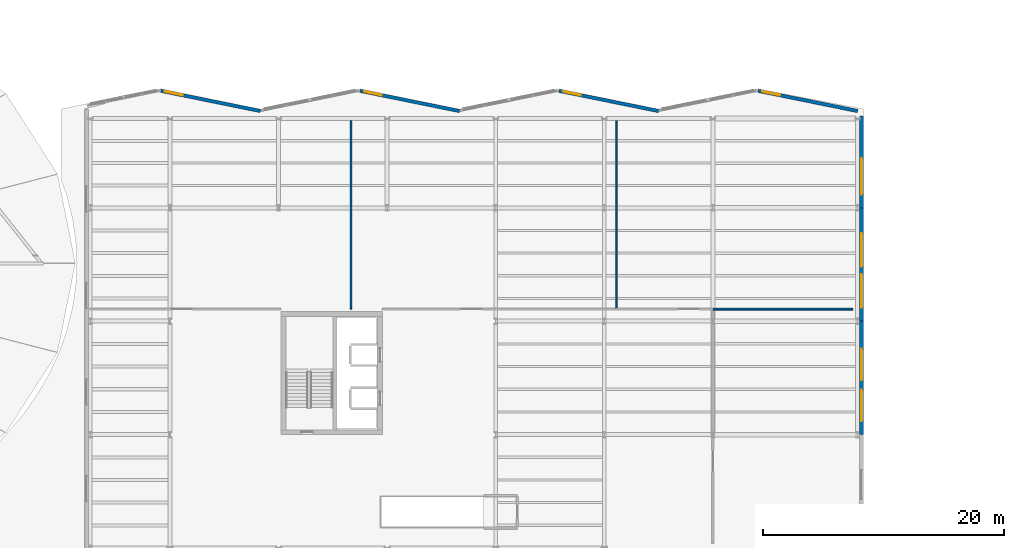
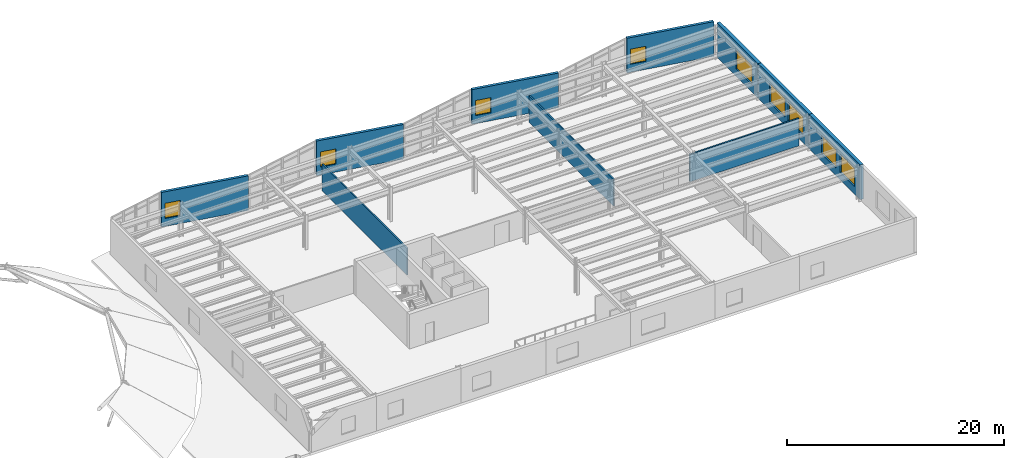
# One storey, part 46 of 59: 10 walls, 9 windows, 9 openings.
"""IFC4 building model written with IfcOpenShell, lengths in metres."""

from ifc_helpers import new_model, si_unit, direction, frame, frame_2d, origin, place, context, subcontext, project, spatial, rectangle, extrude, material, layer, layer_set, type_object, element, fill, save


model = new_model("IFC4")

# Units and contexts
model_context = context("Model", 3, precision=1e-05, world=origin(), true_north=direction((0.0, 1.0)))
body_context = subcontext(model_context, "Body", "Model", "MODEL_VIEW")
ifc_project = project(units=[si_unit("LENGTHUNIT", "METRE"), si_unit("AREAUNIT", "SQUARE_METRE"), si_unit("VOLUMEUNIT", "CUBIC_METRE"), si_unit("PLANEANGLEUNIT", "RADIAN"), si_unit("MASSUNIT", "GRAM", prefix="KILO")], contexts=[model_context])

# Site, building, storey
site_placement = place(None, origin())
site = spatial("IfcSite", under=ifc_project, at=site_placement, CompositionType="ELEMENT")
building_placement = place(site_placement, origin())
building = spatial("IfcBuilding", under=site, at=building_placement, Name="Sollismere Congress Hotel", CompositionType="ELEMENT")
storey_placement = place(building_placement, frame((0.0, 0.0, 15.60009765625)))
storey = spatial("IfcBuildingStorey", under=building, at=storey_placement, Name="L03", CompositionType="ELEMENT", Elevation=15.60009765625)

# Wall, opening, window
ifc_material_1 = material(Name="Colorado Buff Sandstone Rainscreen on Insulated Backup", Category="masonry")
ifc_layer_1 = layer(ifc_material_1, 0.284912109375, Name="Colorado Buff Sandstone Rainscreen on Insulated Backup")
ifc_layer_set_1 = layer_set([ifc_layer_1], Name="Colorado Buff Sandstone Rainscreen on Insulated Backup")
wall_type_1 = type_object("IfcWallType", Name="WL-EXT285", PredefinedType="STANDARD", material=ifc_layer_set_1)
wall_1_placement = place(storey_placement, frame((66.25, 104.698486328125, 0.0), z_axis=(0.0, 0.0, 1.0), x_axis=(0.979925045119, -0.199366260807, 0.0)))
wall_1 = element("IfcWall", 1, at=wall_1_placement, inside=storey, type_object=wall_type_1, Name="Exterior wall EW-L03-056", PredefinedType="STANDARD", context=body_context, shape_type="SweptSolid", body=[
    extrude(rectangle(XDim=8.4189453125, YDim=0.284912109375, at=frame_2d((4.20947265625, 0.0))), origin(), (0.0, 0.0, 1.0), 3.89990234375),
])
opening_1_placement = place(wall_1_placement, frame((0.35009765625, 0.0, 0.89990234375)))
opening_1 = element("IfcOpeningElement", 2, at=opening_1_placement, cuts=wall_1, Name="Opening W-L03-050", PredefinedType="OPENING", context=body_context, shape_type="SweptSolid", body=[
    extrude(rectangle(XDim=1.5, YDim=1.699951171875, at=frame_2d((0.75, 0.85009765625))), frame((0.0, 0.15234375, 0.0), z_axis=(0.0, -1.0, 0.0), x_axis=(1.0, 0.0, 0.0)), (0.0, 0.0, 1.0), 0.304931640625),
])
ifc_material_2 = material(Name="Thermally Broken Bronze Aluminum & Low-E Glass", Category="aluminium")
window_type_1 = type_object("IfcWindowType", Name="WN-P150x170", PartitioningType="SINGLE_PANEL", PredefinedType="WINDOW", material=ifc_material_2)
window_1_placement = place(opening_1_placement, origin())
window_1 = element("IfcWindow", 3, at=window_1_placement, inside=storey, type_object=window_type_1, Name="WIN-W-L03-050", OverallHeight=1.699951171875, OverallWidth=1.5, PartitioningType="SINGLE_PANEL", PredefinedType="WINDOW", context=body_context, shape_type="SweptSolid", body=[
    extrude(rectangle(XDim=1.5, YDim=1.699951171875, at=frame_2d((0.75, 0.85009765625))), frame((0.0, 0.030029296875, 0.0), z_axis=(0.0, -1.0, 0.0), x_axis=(1.0, 0.0, 0.0)), (0.0, 0.0, 1.0), 0.06005859375),
])
fill(opening_1, window_1)

wall_2_placement = place(storey_placement, frame((82.75, 104.698486328125, 0.0), z_axis=(0.0, 0.0, 1.0), x_axis=(0.979925045119, -0.199366260807, 0.0)))
wall_2 = element("IfcWall", 4, at=wall_2_placement, inside=storey, type_object=wall_type_1, Name="Exterior wall EW-L03-057", PredefinedType="STANDARD", context=body_context, shape_type="SweptSolid", body=[
    extrude(rectangle(XDim=8.4189453125, YDim=0.284912109375, at=frame_2d((4.20947265625, 0.0))), origin(), (0.0, 0.0, 1.0), 3.89990234375),
])
opening_2_placement = place(wall_2_placement, frame((0.35009765625, 0.0, 0.89990234375)))
opening_2 = element("IfcOpeningElement", 5, at=opening_2_placement, cuts=wall_2, Name="Opening W-L03-051", PredefinedType="OPENING", context=body_context, shape_type="SweptSolid", body=[
    extrude(rectangle(XDim=1.5, YDim=1.699951171875, at=frame_2d((0.75, 0.85009765625))), frame((0.0, 0.15234375, 0.0), z_axis=(0.0, -1.0, 0.0), x_axis=(1.0, 0.0, 0.0)), (0.0, 0.0, 1.0), 0.304931640625),
])
window_2_placement = place(opening_2_placement, origin())
window_2 = element("IfcWindow", 6, at=window_2_placement, inside=storey, type_object=window_type_1, Name="WIN-W-L03-051", OverallHeight=1.699951171875, OverallWidth=1.5, PartitioningType="SINGLE_PANEL", PredefinedType="WINDOW", context=body_context, shape_type="SweptSolid", body=[
    extrude(rectangle(XDim=1.5, YDim=1.699951171875, at=frame_2d((0.75, 0.85009765625))), frame((0.0, 0.030029296875, 0.0), z_axis=(0.0, -1.0, 0.0), x_axis=(1.0, 0.0, 0.0)), (0.0, 0.0, 1.0), 0.06005859375),
])
fill(opening_2, window_2)

wall_3_placement = place(storey_placement, frame((99.25, 104.698486328125, 0.0), z_axis=(0.0, 0.0, 1.0), x_axis=(0.979925045119, -0.199366260807, 0.0)))
wall_3 = element("IfcWall", 7, at=wall_3_placement, inside=storey, type_object=wall_type_1, Name="Exterior wall EW-L03-058", PredefinedType="STANDARD", context=body_context, shape_type="SweptSolid", body=[
    extrude(rectangle(XDim=8.4189453125, YDim=0.284912109375, at=frame_2d((4.20947265625, 0.0))), origin(), (0.0, 0.0, 1.0), 3.89990234375),
])
opening_3_placement = place(wall_3_placement, frame((0.35009765625, 0.0, 0.89990234375)))
opening_3 = element("IfcOpeningElement", 8, at=opening_3_placement, cuts=wall_3, Name="Opening W-L03-052", PredefinedType="OPENING", context=body_context, shape_type="SweptSolid", body=[
    extrude(rectangle(XDim=1.5, YDim=1.699951171875, at=frame_2d((0.75, 0.85009765625))), frame((0.0, 0.15234375, 0.0), z_axis=(0.0, -1.0, 0.0), x_axis=(1.0, 0.0, 0.0)), (0.0, 0.0, 1.0), 0.304931640625),
])
window_3_placement = place(opening_3_placement, origin())
window_3 = element("IfcWindow", 9, at=window_3_placement, inside=storey, type_object=window_type_1, Name="WIN-W-L03-052", OverallHeight=1.699951171875, OverallWidth=1.5, PartitioningType="SINGLE_PANEL", PredefinedType="WINDOW", context=body_context, shape_type="SweptSolid", body=[
    extrude(rectangle(XDim=1.5, YDim=1.699951171875, at=frame_2d((0.75, 0.85009765625))), frame((0.0, 0.030029296875, 0.0), z_axis=(0.0, -1.0, 0.0), x_axis=(1.0, 0.0, 0.0)), (0.0, 0.0, 1.0), 0.06005859375),
])
fill(opening_3, window_3)

wall_4_placement = place(storey_placement, frame((115.75, 104.698486328125, 0.0), z_axis=(0.0, 0.0, 1.0), x_axis=(0.979925045119, -0.199366260807, 0.0)))
wall_4 = element("IfcWall", 10, at=wall_4_placement, inside=storey, type_object=wall_type_1, Name="Exterior wall EW-L03-059", PredefinedType="STANDARD", context=body_context, shape_type="SweptSolid", body=[
    extrude(rectangle(XDim=8.4189453125, YDim=0.284912109375, at=frame_2d((4.20947265625, 0.0))), origin(), (0.0, 0.0, 1.0), 3.89990234375),
])
opening_4_placement = place(wall_4_placement, frame((0.35009765625, 0.0, 0.89990234375)))
opening_4 = element("IfcOpeningElement", 11, at=opening_4_placement, cuts=wall_4, Name="Opening W-L03-053", PredefinedType="OPENING", context=body_context, shape_type="SweptSolid", body=[
    extrude(rectangle(XDim=1.5, YDim=1.699951171875, at=frame_2d((0.75, 0.85009765625))), frame((0.0, 0.15234375, 0.0), z_axis=(0.0, -1.0, 0.0), x_axis=(1.0, 0.0, 0.0)), (0.0, 0.0, 1.0), 0.304931640625),
])
window_4_placement = place(opening_4_placement, origin())
window_4 = element("IfcWindow", 12, at=window_4_placement, inside=storey, type_object=window_type_1, Name="WIN-W-L03-053", OverallHeight=1.699951171875, OverallWidth=1.5, PartitioningType="SINGLE_PANEL", PredefinedType="WINDOW", context=body_context, shape_type="SweptSolid", body=[
    extrude(rectangle(XDim=1.5, YDim=1.699951171875, at=frame_2d((0.75, 0.85009765625))), frame((0.0, 0.030029296875, 0.0), z_axis=(0.0, -1.0, 0.0), x_axis=(1.0, 0.0, 0.0)), (0.0, 0.0, 1.0), 0.06005859375),
])
fill(opening_4, window_4)

# Wall, openings, windows
ifc_material_3 = material(Name="Colorado Buff Sandstone and Limestone Backup C40/50", Category="masonry")
ifc_layer_2 = layer(ifc_material_3, 0.340087890625, Name="Colorado Buff Sandstone and Limestone Backup C40/50")
ifc_layer_set_2 = layer_set([ifc_layer_2], Name="Colorado Buff Sandstone and Limestone Backup C40/50")
wall_type_2 = type_object("IfcWallType", Name="WL-EXT340", PredefinedType="STANDARD", material=ifc_layer_set_2)
wall_5_placement = place(storey_placement, frame((124.31005859375, 76.199951171875, 0.0), z_axis=(0.0, 0.0, 1.0), x_axis=(0.0, 1.0, 0.0)))
wall_5 = element("IfcWall", 13, at=wall_5_placement, inside=storey, type_object=wall_type_2, Name="Exterior wall EW-L03-061", PredefinedType="STANDARD", context=body_context, shape_type="SweptSolid", body=[
    extrude(rectangle(XDim=9.400146484375, YDim=0.340087890625, at=frame_2d((4.7001953125, 0.0))), origin(), (0.0, 0.0, 1.0), 3.89990234375),
])
opening_5_placement = place(wall_5_placement, frame((1.10009765625, 0.0, 0.85009765625)))
opening_5 = element("IfcOpeningElement", 14, at=opening_5_placement, cuts=wall_5, Name="Opening W-L03-056", PredefinedType="OPENING", context=body_context, shape_type="SweptSolid", body=[
    extrude(rectangle(XDim=2.60009765625, YDim=2.050048828125, at=frame_2d((1.300048828125, 1.02490234375))), frame((0.0, 0.179931640625, 0.0), z_axis=(0.0, -1.0, 0.0), x_axis=(1.0, 0.0, 0.0)), (0.0, 0.0, 1.0), 0.360107421875),
])
opening_6_placement = place(wall_5_placement, frame((4.5, 0.0, 0.85009765625)))
opening_6 = element("IfcOpeningElement", 15, at=opening_6_placement, cuts=wall_5, Name="Opening W-L03-057", PredefinedType="OPENING", context=body_context, shape_type="SweptSolid", body=[
    extrude(rectangle(XDim=2.60009765625, YDim=2.050048828125, at=frame_2d((1.300048828125, 1.02490234375))), frame((0.0, 0.179931640625, 0.0), z_axis=(0.0, -1.0, 0.0), x_axis=(1.0, 0.0, 0.0)), (0.0, 0.0, 1.0), 0.360107421875),
])
window_type_2 = type_object("IfcWindowType", Name="WN-P260x205", PartitioningType="SINGLE_PANEL", PredefinedType="WINDOW", material=ifc_material_2)
window_5_placement = place(opening_5_placement, origin())
window_5 = element("IfcWindow", 16, at=window_5_placement, inside=storey, type_object=window_type_2, Name="WIN-W-L03-056", OverallHeight=2.050048828125, OverallWidth=2.60009765625, PartitioningType="SINGLE_PANEL", PredefinedType="WINDOW", context=body_context, shape_type="SweptSolid", body=[
    extrude(rectangle(XDim=2.60009765625, YDim=2.050048828125, at=frame_2d((1.300048828125, 1.02490234375))), frame((0.0, 0.030029296875, 0.0), z_axis=(0.0, -1.0, 0.0), x_axis=(1.0, 0.0, 0.0)), (0.0, 0.0, 1.0), 0.06005859375),
])
fill(opening_5, window_5)
window_6_placement = place(opening_6_placement, origin())
window_6 = element("IfcWindow", 17, at=window_6_placement, inside=storey, type_object=window_type_2, Name="WIN-W-L03-057", OverallHeight=2.050048828125, OverallWidth=2.60009765625, PartitioningType="SINGLE_PANEL", PredefinedType="WINDOW", context=body_context, shape_type="SweptSolid", body=[
    extrude(rectangle(XDim=2.60009765625, YDim=2.050048828125, at=frame_2d((1.300048828125, 1.02490234375))), frame((0.0, 0.030029296875, 0.0), z_axis=(0.0, -1.0, 0.0), x_axis=(1.0, 0.0, 0.0)), (0.0, 0.0, 1.0), 0.06005859375),
])
fill(opening_6, window_6)

wall_6_placement = place(storey_placement, frame((124.31005859375, 85.60009765625, 0.0), z_axis=(0.0, 0.0, 1.0), x_axis=(0.0, 1.0, 0.0)))
wall_6 = element("IfcWall", 18, at=wall_6_placement, inside=storey, type_object=wall_type_2, Name="Exterior wall EW-L03-062", PredefinedType="STANDARD", context=body_context, shape_type="SweptSolid", body=[
    extrude(rectangle(XDim=9.39990234375, YDim=0.340087890625, at=frame_2d((4.699951171875, 0.0))), origin(), (0.0, 0.0, 1.0), 3.89990234375),
])
opening_7_placement = place(wall_6_placement, frame((1.10009765625, 0.0, 0.85009765625)))
opening_7 = element("IfcOpeningElement", 19, at=opening_7_placement, cuts=wall_6, Name="Opening W-L03-058", PredefinedType="OPENING", context=body_context, shape_type="SweptSolid", body=[
    extrude(rectangle(XDim=2.800048828125, YDim=2.10009765625, at=frame_2d((1.39990234375, 1.050048828125))), frame((0.0, 0.179931640625, 0.0), z_axis=(0.0, -1.0, 0.0), x_axis=(1.0, 0.0, 0.0)), (0.0, 0.0, 1.0), 0.360107421875),
])
opening_8_placement = place(wall_6_placement, frame((4.5, 0.0, 0.85009765625)))
opening_8 = element("IfcOpeningElement", 20, at=opening_8_placement, cuts=wall_6, Name="Opening W-L03-059", PredefinedType="OPENING", context=body_context, shape_type="SweptSolid", body=[
    extrude(rectangle(XDim=2.800048828125, YDim=2.10009765625, at=frame_2d((1.39990234375, 1.050048828125))), frame((0.0, 0.179931640625, 0.0), z_axis=(0.0, -1.0, 0.0), x_axis=(1.0, 0.0, 0.0)), (0.0, 0.0, 1.0), 0.360107421875),
])
window_type_3 = type_object("IfcWindowType", Name="WN-P280x210", PartitioningType="SINGLE_PANEL", PredefinedType="WINDOW", material=ifc_material_2)
window_7_placement = place(opening_7_placement, origin())
window_7 = element("IfcWindow", 21, at=window_7_placement, inside=storey, type_object=window_type_3, Name="WIN-W-L03-058", OverallHeight=2.10009765625, OverallWidth=2.800048828125, PartitioningType="SINGLE_PANEL", PredefinedType="WINDOW", context=body_context, shape_type="SweptSolid", body=[
    extrude(rectangle(XDim=2.800048828125, YDim=2.10009765625, at=frame_2d((1.39990234375, 1.050048828125))), frame((0.0, 0.030029296875, 0.0), z_axis=(0.0, -1.0, 0.0), x_axis=(1.0, 0.0, 0.0)), (0.0, 0.0, 1.0), 0.06005859375),
])
fill(opening_7, window_7)
window_8_placement = place(opening_8_placement, origin())
window_8 = element("IfcWindow", 22, at=window_8_placement, inside=storey, type_object=window_type_3, Name="WIN-W-L03-059", OverallHeight=2.10009765625, OverallWidth=2.800048828125, PartitioningType="SINGLE_PANEL", PredefinedType="WINDOW", context=body_context, shape_type="SweptSolid", body=[
    extrude(rectangle(XDim=2.800048828125, YDim=2.10009765625, at=frame_2d((1.39990234375, 1.050048828125))), frame((0.0, 0.030029296875, 0.0), z_axis=(0.0, -1.0, 0.0), x_axis=(1.0, 0.0, 0.0)), (0.0, 0.0, 1.0), 0.06005859375),
])
fill(opening_8, window_8)

# Wall, opening, window
wall_7_placement = place(storey_placement, frame((124.31005859375, 95.0, 0.0), z_axis=(0.0, 0.0, 1.0), x_axis=(0.0, 1.0, 0.0)))
wall_7 = element("IfcWall", 23, at=wall_7_placement, inside=storey, type_object=wall_type_2, Name="Exterior wall EW-L03-063", PredefinedType="STANDARD", context=body_context, shape_type="SweptSolid", body=[
    extrude(rectangle(XDim=7.60009765625, YDim=0.340087890625, at=frame_2d((3.800048828125, 0.0))), origin(), (0.0, 0.0, 1.0), 3.89990234375),
])
opening_9_placement = place(wall_7_placement, frame((1.10009765625, 0.0, 0.85009765625)))
opening_9 = element("IfcOpeningElement", 24, at=opening_9_placement, cuts=wall_7, Name="Opening W-L03-060", PredefinedType="OPENING", context=body_context, shape_type="SweptSolid", body=[
    extrude(rectangle(XDim=3.0, YDim=2.14990234375, at=frame_2d((1.5, 1.074951171875))), frame((0.0, 0.179931640625, 0.0), z_axis=(0.0, -1.0, 0.0), x_axis=(1.0, 0.0, 0.0)), (0.0, 0.0, 1.0), 0.360107421875),
])
window_type_4 = type_object("IfcWindowType", Name="WN-P300x215", PartitioningType="SINGLE_PANEL", PredefinedType="WINDOW", material=ifc_material_2)
window_9_placement = place(opening_9_placement, origin())
window_9 = element("IfcWindow", 25, at=window_9_placement, inside=storey, type_object=window_type_4, Name="WIN-W-L03-060", OverallHeight=2.14990234375, OverallWidth=3.0, PartitioningType="SINGLE_PANEL", PredefinedType="WINDOW", context=body_context, shape_type="SweptSolid", body=[
    extrude(rectangle(XDim=3.0, YDim=2.14990234375, at=frame_2d((1.5, 1.074951171875))), frame((0.0, 0.030029296875, 0.0), z_axis=(0.0, -1.0, 0.0), x_axis=(1.0, 0.0, 0.0)), (0.0, 0.0, 1.0), 0.06005859375),
])
fill(opening_9, window_9)

# Walls
ifc_material_4 = material(Name="Fire-Rated Gypsum Partition")
ifc_layer_3 = layer(ifc_material_4, 0.139892578125, Name="Fire-Rated Gypsum Partition")
ifc_layer_set_3 = layer_set([ifc_layer_3], Name="Fire-Rated Gypsum Partition")
wall_type_3 = type_object("IfcWallType", Name="WL-PRT140R", PredefinedType="PARTITIONING", material=ifc_layer_set_3)
wall_8_placement = place(storey_placement, frame((82.0, 86.60009765625, 0.0), z_axis=(0.0, 0.0, 1.0), x_axis=(0.0, 1.0, 0.0)))
element("IfcWall", 26, at=wall_8_placement, inside=storey, type_object=wall_type_3, Name="Interior wall IW-L03-0951", PredefinedType="PARTITIONING", context=body_context, shape_type="SweptSolid", body=[
    extrude(rectangle(XDim=15.599853515625, YDim=0.139892578125, at=frame_2d((7.7998046875, 0.0))), origin(), (0.0, 0.0, 1.0), 3.012939453125),
])
wall_9_placement = place(storey_placement, frame((104.0, 86.681884765625, 0.0), z_axis=(0.0, 0.0, 1.0), x_axis=(0.0, 1.0, 0.0)))
element("IfcWall", 27, at=wall_9_placement, inside=storey, type_object=wall_type_3, Name="Interior wall IW-L03-0953", PredefinedType="PARTITIONING", context=body_context, shape_type="SweptSolid", body=[
    extrude(rectangle(XDim=15.51806640625, YDim=0.139892578125, at=frame_2d((7.759033203125, 0.0))), origin(), (0.0, 0.0, 1.0), 3.012939453125),
])
ifc_material_5 = material(Name="Fire-Rated Acoustic Gypsum Partition")
ifc_layer_4 = layer(ifc_material_5, 0.1650390625, Name="Fire-Rated Acoustic Gypsum Partition")
ifc_layer_set_4 = layer_set([ifc_layer_4], Name="Fire-Rated Acoustic Gypsum Partition")
wall_type_4 = type_object("IfcWallType", Name="WL-PRT165R", PredefinedType="PARTITIONING", material=ifc_layer_set_4)
wall_10_placement = place(storey_placement, frame((112.0, 86.60009765625, 0.0), z_axis=(0.0, 0.0, 1.0), x_axis=(1.0, 0.0, 0.0)))
element("IfcWall", 28, at=wall_10_placement, inside=storey, type_object=wall_type_4, Name="Interior wall IW-L03-0950", PredefinedType="PARTITIONING", context=body_context, shape_type="SweptSolid", body=[
    extrude(rectangle(XDim=11.60009765625, YDim=0.1650390625, at=frame_2d((5.800048828125, 0.0))), origin(), (0.0, 0.0, 1.0), 3.073974609375),
])

save(model, "model.ifc")
